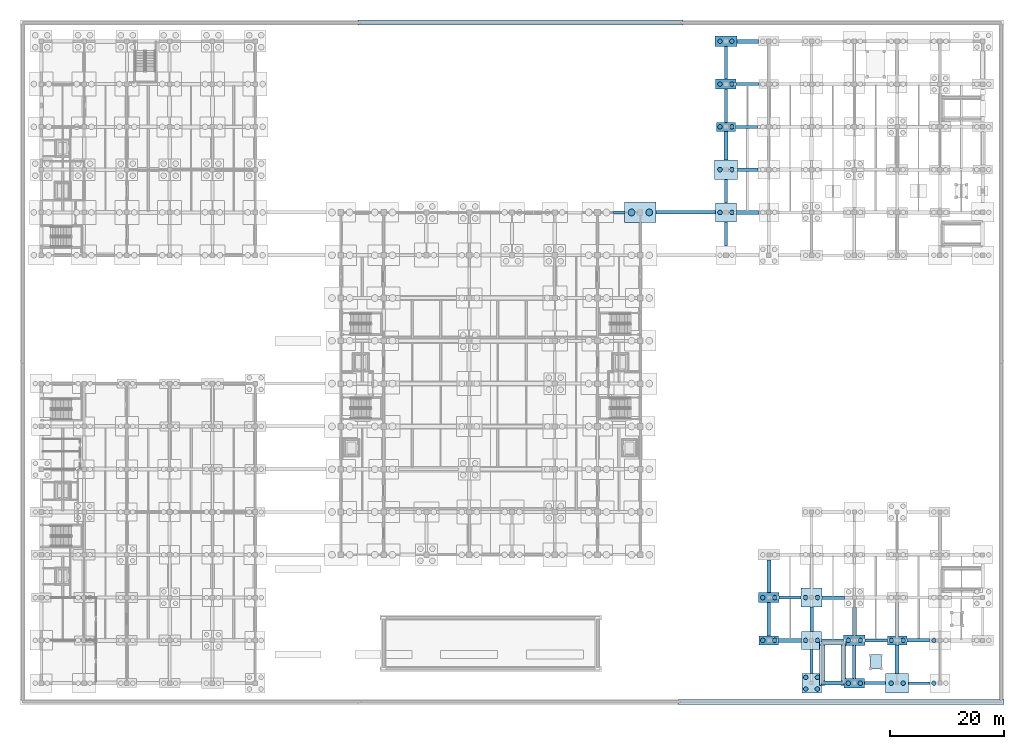
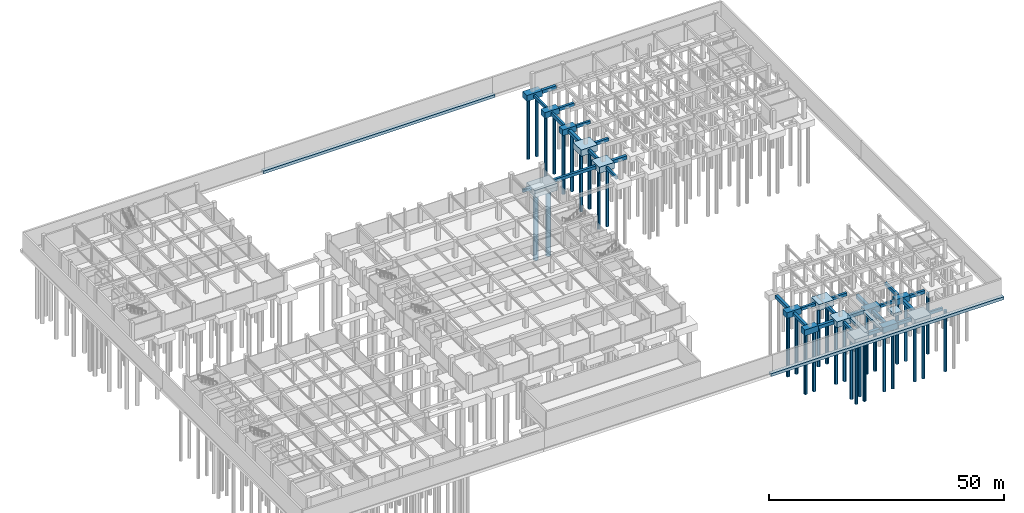
# One storey, part 9 of 38: 50 footings, 34 piles.
"""IFC4 building model written with IfcOpenShell, lengths in metres."""

from ifc_helpers import new_model, si_unit, direction, frame, origin, origin_2d, place, context, subcontext, project, spatial, polyline, rectangle, circle, outline, extrude, material, material_profile, profile_set, type_object, element, save


model = new_model("IFC4")

# Units and contexts
model_context = context("Model", 3, precision=1e-05, world=origin(), true_north=direction((0.0, 1.0)))
body_context = subcontext(model_context, "Body", "Model", "MODEL_VIEW")
ifc_project = project(units=[si_unit("LENGTHUNIT", "METRE"), si_unit("AREAUNIT", "SQUARE_METRE"), si_unit("VOLUMEUNIT", "CUBIC_METRE"), si_unit("PLANEANGLEUNIT", "RADIAN"), si_unit("MASSUNIT", "GRAM", prefix="KILO")], contexts=[model_context])

# Site, building, storey
site_placement = place(None, origin())
site = spatial("IfcSite", under=ifc_project, at=site_placement, CompositionType="ELEMENT")
building_placement = place(site_placement, origin())
building = spatial("IfcBuilding", under=site, at=building_placement, Name="Qasida Concert Hall", CompositionType="ELEMENT")
storey_placement = place(building_placement, frame((0.0, 0.0, -4.800048828125)))
storey = spatial("IfcBuildingStorey", under=building, at=storey_placement, Name="B1", CompositionType="ELEMENT", Elevation=-4.800048828125)

# Footings
ifc_material = material(Name="Concrete C40/50", Category="concrete")
footing_type_1 = type_object("IfcFootingType", Name="FT-GB-1", PredefinedType="FOOTING_BEAM", material=ifc_material)
footing_1_placement = place(storey_placement, frame((0.0, 0.0, -1.169921875)))
element("IfcFooting", 1, at=footing_1_placement, inside=storey, type_object=footing_type_1, Name="Ground tie beam GB-1 008", PredefinedType="FOOTING_BEAM", context=body_context, shape_type="SweptSolid", body=[
    extrude(outline(polyline([(152.0, -0.25), (155.75, -0.25), (155.75, 0.25), (152.0, 0.25), (152.0, -0.25)])), origin(), (0.0, 0.0, 1.0), 0.75),
])
footing_2_placement = place(storey_placement, frame((0.0, 0.0, -1.169921875)))
element("IfcFooting", 2, at=footing_2_placement, inside=storey, type_object=footing_type_1, Name="Ground tie beam GB-1 016", PredefinedType="FOOTING_BEAM", context=body_context, shape_type="SweptSolid", body=[
    extrude(outline(polyline([(144.39990234375, 7.25), (148.300048828125, 7.25), (148.300048828125, 7.75), (144.39990234375, 7.75), (144.39990234375, 7.25)])), origin(), (0.0, 0.0, 1.0), 0.75),
])
footing_3_placement = place(storey_placement, frame((0.0, 0.0, -1.169921875)))
element("IfcFooting", 3, at=footing_3_placement, inside=storey, type_object=footing_type_1, Name="Ground tie beam GB-1 024", PredefinedType="FOOTING_BEAM", context=body_context, shape_type="SweptSolid", body=[
    extrude(outline(polyline([(129.300048828125, 14.75), (133.14990234375, 14.75), (133.14990234375, 15.25), (129.300048828125, 15.25), (129.300048828125, 14.75)])), origin(), (0.0, 0.0, 1.0), 0.75),
])
footing_4_placement = place(storey_placement, frame((0.0, 0.0, -1.169921875)))
element("IfcFooting", 4, at=footing_4_placement, inside=storey, type_object=footing_type_1, Name="Ground tie beam GB-1 132", PredefinedType="FOOTING_BEAM", context=body_context, shape_type="SweptSolid", body=[
    extrude(outline(polyline([(100.25, 82.25), (102.25, 82.25), (102.25, 82.75), (100.25, 82.75), (100.25, 82.25)])), origin(), (0.0, 0.0, 1.0), 0.75),
])
footing_5_placement = place(storey_placement, frame((0.0, 0.0, -1.169921875)))
element("IfcFooting", 5, at=footing_5_placement, inside=storey, type_object=footing_type_1, Name="Ground tie beam GB-1 156", PredefinedType="FOOTING_BEAM", context=body_context, shape_type="SweptSolid", body=[
    extrude(outline(polyline([(121.699951171875, 97.25), (125.5, 97.25), (125.5, 97.75), (121.699951171875, 97.75), (121.699951171875, 97.25)])), origin(), (0.0, 0.0, 1.0), 0.75),
])
footing_6_placement = place(storey_placement, frame((0.0, 0.0, -1.169921875)))
element("IfcFooting", 6, at=footing_6_placement, inside=storey, type_object=footing_type_1, Name="Ground tie beam GB-1 308", PredefinedType="FOOTING_BEAM", context=body_context, shape_type="SweptSolid", body=[
    extrude(outline(polyline([(119.75, 76.60009765625), (120.25, 76.60009765625), (120.25, 80.85009765625), (119.75, 80.85009765625), (119.75, 76.60009765625)])), origin(), (0.0, 0.0, 1.0), 0.75),
])
footing_7_placement = place(storey_placement, frame((0.0, 0.0, -1.169921875)))
element("IfcFooting", 7, at=footing_7_placement, inside=storey, type_object=footing_type_1, Name="Ground tie beam GB-1 312", PredefinedType="FOOTING_BEAM", context=body_context, shape_type="SweptSolid", body=[
    extrude(outline(polyline([(119.75, 105.85009765625), (120.25, 105.85009765625), (120.25, 111.60009765625), (119.75, 111.60009765625), (119.75, 105.85009765625)])), origin(), (0.0, 0.0, 1.0), 0.75),
])
footing_8_placement = place(storey_placement, frame((0.0, 0.0, -1.169921875)))
element("IfcFooting", 8, at=footing_8_placement, inside=storey, type_object=footing_type_1, Name="Ground tie beam GB-1 320", PredefinedType="FOOTING_BEAM", context=body_context, shape_type="SweptSolid", body=[
    extrude(outline(polyline([(134.75, 1.699951171875), (135.25, 1.699951171875), (135.25, 5.89990234375), (134.75, 5.89990234375), (134.75, 1.699951171875)])), origin(), (0.0, 0.0, 1.0), 0.75),
])
footing_type_2 = type_object("IfcFootingType", Name="FT-GB-2", PredefinedType="FOOTING_BEAM", material=ifc_material)
footing_9_placement = place(storey_placement, frame((0.0, 0.0, -1.219970703125)))
element("IfcFooting", 9, at=footing_9_placement, inside=storey, type_object=footing_type_2, Name="Ground tie beam GB-2 017", PredefinedType="FOOTING_BEAM", context=body_context, shape_type="SweptSolid", body=[
    extrude(outline(polyline([(151.699951171875, 7.199951171875), (155.64990234375, 7.199951171875), (155.64990234375, 7.800048828125), (151.699951171875, 7.800048828125), (151.699951171875, 7.199951171875)])), origin(), (0.0, 0.0, 1.0), 0.800048828125),
])
footing_10_placement = place(storey_placement, frame((0.0, 0.0, -1.219970703125)))
element("IfcFooting", 10, at=footing_10_placement, inside=storey, type_object=footing_type_2, Name="Ground tie beam GB-2 025", PredefinedType="FOOTING_BEAM", context=body_context, shape_type="SweptSolid", body=[
    extrude(outline(polyline([(136.85009765625, 14.699951171875), (140.800048828125, 14.699951171875), (140.800048828125, 15.300048828125), (136.85009765625, 15.300048828125), (136.85009765625, 14.699951171875)])), origin(), (0.0, 0.0, 1.0), 0.800048828125),
])
footing_11_placement = place(storey_placement, frame((0.0, 0.0, -1.219970703125)))
element("IfcFooting", 11, at=footing_11_placement, inside=storey, type_object=footing_type_2, Name="Ground tie beam GB-2 133", PredefinedType="FOOTING_BEAM", context=body_context, shape_type="SweptSolid", body=[
    extrude(outline(polyline([(107.75, 82.199951171875), (118.14990234375, 82.199951171875), (118.14990234375, 82.800048828125), (107.75, 82.800048828125), (107.75, 82.199951171875)])), origin(), (0.0, 0.0, 1.0), 0.800048828125),
])
footing_12_placement = place(storey_placement, frame((0.0, 0.0, -1.219970703125)))
element("IfcFooting", 12, at=footing_12_placement, inside=storey, type_object=footing_type_2, Name="Ground tie beam GB-2 145", PredefinedType="FOOTING_BEAM", context=body_context, shape_type="SweptSolid", body=[
    extrude(outline(polyline([(122.0, 89.699951171875), (125.64990234375, 89.699951171875), (125.64990234375, 90.300048828125), (122.0, 90.300048828125), (122.0, 89.699951171875)])), origin(), (0.0, 0.0, 1.0), 0.800048828125),
])
footing_13_placement = place(storey_placement, frame((0.0, 0.0, -1.219970703125)))
element("IfcFooting", 13, at=footing_13_placement, inside=storey, type_object=footing_type_2, Name="Ground tie beam GB-2 309", PredefinedType="FOOTING_BEAM", context=body_context, shape_type="SweptSolid", body=[
    extrude(outline(polyline([(119.699951171875, 84.14990234375), (120.300048828125, 84.14990234375), (120.300048828125, 88.300048828125), (119.699951171875, 88.300048828125), (119.699951171875, 84.14990234375)])), origin(), (0.0, 0.0, 1.0), 0.800048828125),
])
footing_14_placement = place(storey_placement, frame((0.0, 0.0, -1.219970703125)))
element("IfcFooting", 14, at=footing_14_placement, inside=storey, type_object=footing_type_2, Name="Ground tie beam GB-2 313", PredefinedType="FOOTING_BEAM", context=body_context, shape_type="SweptSolid", body=[
    extrude(outline(polyline([(127.199951171875, 8.300048828125), (127.800048828125, 8.300048828125), (127.800048828125, 14.14990234375), (127.199951171875, 14.14990234375), (127.199951171875, 8.300048828125)])), origin(), (0.0, 0.0, 1.0), 0.800048828125),
])
footing_15_placement = place(storey_placement, frame((0.0, 0.0, -1.219970703125)))
element("IfcFooting", 15, at=footing_15_placement, inside=storey, type_object=footing_type_2, Name="Ground tie beam GB-2 321", PredefinedType="FOOTING_BEAM", context=body_context, shape_type="SweptSolid", body=[
    extrude(outline(polyline([(134.699951171875, 9.10009765625), (135.300048828125, 9.10009765625), (135.300048828125, 13.35009765625), (134.699951171875, 13.35009765625), (134.699951171875, 9.10009765625)])), origin(), (0.0, 0.0, 1.0), 0.800048828125),
])
footing_16_placement = place(storey_placement, frame((0.0, 0.0, -1.219970703125)))
element("IfcFooting", 16, at=footing_16_placement, inside=storey, type_object=footing_type_2, Name="Ground tie beam GB-2 329", PredefinedType="FOOTING_BEAM", context=body_context, shape_type="SweptSolid", body=[
    extrude(outline(polyline([(142.199951171875, 0.85009765625), (142.800048828125, 0.85009765625), (142.800048828125, 6.60009765625), (142.199951171875, 6.60009765625), (142.199951171875, 0.85009765625)])), origin(), (0.0, 0.0, 1.0), 0.800048828125),
])
footing_type_3 = type_object("IfcFootingType", Name="FT-GB-3", PredefinedType="FOOTING_BEAM", material=ifc_material)
footing_17_placement = place(storey_placement, frame((0.0, 0.0, -1.320068359375)))
element("IfcFooting", 17, at=footing_17_placement, inside=storey, type_object=footing_type_3, Name="Ground tie beam GB-3 006", PredefinedType="FOOTING_BEAM", context=body_context, shape_type="SweptSolid", body=[
    extrude(outline(polyline([(136.699951171875, -0.35009765625), (140.699951171875, -0.35009765625), (140.699951171875, 0.35009765625), (136.699951171875, 0.35009765625), (136.699951171875, -0.35009765625)])), origin(), (0.0, 0.0, 1.0), 0.900146484375),
])
footing_18_placement = place(storey_placement, frame((0.0, 0.0, -1.320068359375)))
element("IfcFooting", 18, at=footing_18_placement, inside=storey, type_object=footing_type_3, Name="Ground tie beam GB-3 014", PredefinedType="FOOTING_BEAM", context=body_context, shape_type="SweptSolid", body=[
    extrude(outline(polyline([(129.199951171875, 7.14990234375), (133.25, 7.14990234375), (133.25, 7.85009765625), (129.199951171875, 7.85009765625), (129.199951171875, 7.14990234375)])), origin(), (0.0, 0.0, 1.0), 0.900146484375),
])
footing_19_placement = place(storey_placement, frame((0.0, 0.0, -1.320068359375)))
element("IfcFooting", 19, at=footing_19_placement, inside=storey, type_object=footing_type_3, Name="Ground tie beam GB-3 134", PredefinedType="FOOTING_BEAM", context=body_context, shape_type="SweptSolid", body=[
    extrude(outline(polyline([(121.85009765625, 82.14990234375), (125.75, 82.14990234375), (125.75, 82.85009765625), (121.85009765625, 82.85009765625), (121.85009765625, 82.14990234375)])), origin(), (0.0, 0.0, 1.0), 0.900146484375),
])
footing_20_placement = place(storey_placement, frame((0.0, 0.0, -1.320068359375)))
element("IfcFooting", 20, at=footing_20_placement, inside=storey, type_object=footing_type_3, Name="Ground tie beam GB-3 178", PredefinedType="FOOTING_BEAM", context=body_context, shape_type="SweptSolid", body=[
    extrude(outline(polyline([(121.89990234375, 112.14990234375), (125.699951171875, 112.14990234375), (125.699951171875, 112.85009765625), (121.89990234375, 112.85009765625), (121.89990234375, 112.14990234375)])), origin(), (0.0, 0.0, 1.0), 0.900146484375),
])
footing_21_placement = place(storey_placement, frame((0.0, 0.0, -1.320068359375)))
element("IfcFooting", 21, at=footing_21_placement, inside=storey, type_object=footing_type_3, Name="Ground tie beam GB-3 310", PredefinedType="FOOTING_BEAM", context=body_context, shape_type="SweptSolid", body=[
    extrude(outline(polyline([(119.64990234375, 91.699951171875), (120.35009765625, 91.699951171875), (120.35009765625, 96.699951171875), (119.64990234375, 96.699951171875), (119.64990234375, 91.699951171875)])), origin(), (0.0, 0.0, 1.0), 0.900146484375),
])
footing_22_placement = place(storey_placement, frame((0.0, 0.0, -1.320068359375)))
element("IfcFooting", 22, at=footing_22_placement, inside=storey, type_object=footing_type_3, Name="Ground tie beam GB-3 314", PredefinedType="FOOTING_BEAM", context=body_context, shape_type="SweptSolid", body=[
    extrude(outline(polyline([(127.14990234375, 15.85009765625), (127.85009765625, 15.85009765625), (127.85009765625, 21.60009765625), (127.14990234375, 21.60009765625), (127.14990234375, 15.85009765625)])), origin(), (0.0, 0.0, 1.0), 0.900146484375),
])
footing_23_placement = place(storey_placement, frame((0.0, 0.0, -1.320068359375)))
element("IfcFooting", 23, at=footing_23_placement, inside=storey, type_object=footing_type_3, Name="Ground tie beam GB-3 330", PredefinedType="FOOTING_BEAM", context=body_context, shape_type="SweptSolid", body=[
    extrude(outline(polyline([(142.14990234375, 8.39990234375), (142.85009765625, 8.39990234375), (142.85009765625, 13.300048828125), (142.14990234375, 13.300048828125), (142.14990234375, 8.39990234375)])), origin(), (0.0, 0.0, 1.0), 0.900146484375),
])
footing_24_placement = place(storey_placement, frame((0.0, 0.0, -1.320068359375)))
element("IfcFooting", 24, at=footing_24_placement, inside=storey, type_object=footing_type_3, Name="Ground tie beam GB-3 338", PredefinedType="FOOTING_BEAM", context=body_context, shape_type="SweptSolid", body=[
    extrude(outline(polyline([(149.64990234375, 1.699951171875), (150.35009765625, 1.699951171875), (150.35009765625, 6.699951171875), (149.64990234375, 6.699951171875), (149.64990234375, 1.699951171875)])), origin(), (0.0, 0.0, 1.0), 0.900146484375),
])
footing_type_4 = type_object("IfcFootingType", Name="FT-GB-4", PredefinedType="FOOTING_BEAM", material=ifc_material)
footing_25_placement = place(storey_placement, frame((0.0, 0.0, -1.27001953125)))
element("IfcFooting", 25, at=footing_25_placement, inside=storey, type_object=footing_type_4, Name="Ground tie beam GB-4 007", PredefinedType="FOOTING_BEAM", context=body_context, shape_type="SweptSolid", body=[
    extrude(outline(polyline([(144.300048828125, -0.27490234375), (148.0, -0.27490234375), (148.0, 0.27490234375), (144.300048828125, 0.27490234375), (144.300048828125, -0.27490234375)])), origin(), (0.0, 0.0, 1.0), 0.85009765625),
])
footing_26_placement = place(storey_placement, frame((0.0, 0.0, -1.27001953125)))
element("IfcFooting", 26, at=footing_26_placement, inside=storey, type_object=footing_type_4, Name="Ground tie beam GB-4 015", PredefinedType="FOOTING_BEAM", context=body_context, shape_type="SweptSolid", body=[
    extrude(outline(polyline([(136.75, 7.22509765625), (140.60009765625, 7.22509765625), (140.60009765625, 7.77490234375), (136.75, 7.77490234375), (136.75, 7.22509765625)])), origin(), (0.0, 0.0, 1.0), 0.85009765625),
])
footing_27_placement = place(storey_placement, frame((0.0, 0.0, -1.27001953125)))
element("IfcFooting", 27, at=footing_27_placement, inside=storey, type_object=footing_type_4, Name="Ground tie beam GB-4 167", PredefinedType="FOOTING_BEAM", context=body_context, shape_type="SweptSolid", body=[
    extrude(outline(polyline([(121.800048828125, 104.72509765625), (125.800048828125, 104.72509765625), (125.800048828125, 105.27490234375), (121.800048828125, 105.27490234375), (121.800048828125, 104.72509765625)])), origin(), (0.0, 0.0, 1.0), 0.85009765625),
])
footing_28_placement = place(storey_placement, frame((0.0, 0.0, -1.27001953125)))
element("IfcFooting", 28, at=footing_28_placement, inside=storey, type_object=footing_type_4, Name="Ground tie beam GB-4 311", PredefinedType="FOOTING_BEAM", context=body_context, shape_type="SweptSolid", body=[
    extrude(outline(polyline([(119.72509765625, 98.300048828125), (120.27490234375, 98.300048828125), (120.27490234375, 104.14990234375), (119.72509765625, 104.14990234375), (119.72509765625, 98.300048828125)])), origin(), (0.0, 0.0, 1.0), 0.85009765625),
])
footing_29_placement = place(storey_placement, frame((0.0, 0.0, -1.27001953125)))
element("IfcFooting", 29, at=footing_29_placement, inside=storey, type_object=footing_type_4, Name="Ground tie beam GB-4 339", PredefinedType="FOOTING_BEAM", context=body_context, shape_type="SweptSolid", body=[
    extrude(outline(polyline([(149.72509765625, 8.300048828125), (150.27490234375, 8.300048828125), (150.27490234375, 14.14990234375), (149.72509765625, 14.14990234375), (149.72509765625, 8.300048828125)])), origin(), (0.0, 0.0, 1.0), 0.85009765625),
])
footing_type_5 = type_object("IfcFootingType", Name="FT-PC-2C", PredefinedType="PILE_CAP", material=ifc_material)
for number, where, z_axis, x_axis, name in (
    (30, (127.5, 7.5, -1.5), (0.0, 0.0, 1.0), (1.0, 0.0, 0.0), "Pile cap PC-2C 063"),
    (31, (150.0, 7.5, -1.5), (0.0, 0.0, 1.0), (1.0, 0.0, 0.0), "Pile cap PC-2C 077"),
    (32, (120.0, 97.5, -1.5), (0.0, 0.0, 1.0), (1.0, 0.0, 0.0), "Pile cap PC-2C 140"),
):
    element("IfcFooting", number, at=place(storey_placement, frame(where, z_axis=z_axis, x_axis=x_axis)), inside=storey, type_object=footing_type_5, Name=name, PredefinedType="PILE_CAP", context=body_context, shape_type="SweptSolid", body=[
        extrude(rectangle(XDim=3.39990234375, YDim=1.60009765625, at=origin_2d()), origin(), (0.0, 0.0, 1.0), 1.5),
    ])
footing_type_6 = type_object("IfcFootingType", Name="FT-PC-2D", PredefinedType="PILE_CAP", material=ifc_material)
for number, where, z_axis, x_axis, name in (
    (33, (127.5, 15.0, -1.5), (0.0, 0.0, 1.0), (1.0, 0.0, 0.0), "Pile cap PC-2D 064"),
    (34, (142.5, 0.0, -1.5), (0.0, 0.0, 1.0), (1.0, 0.0, 0.0), "Pile cap PC-2D 071"),
    (35, (120.0, 105.0, -1.5), (0.0, 0.0, 1.0), (1.0, 0.0, 0.0), "Pile cap PC-2D 141"),
):
    element("IfcFooting", number, at=place(storey_placement, frame(where, z_axis=z_axis, x_axis=x_axis)), inside=storey, type_object=footing_type_6, Name=name, PredefinedType="PILE_CAP", context=body_context, shape_type="SweptSolid", body=[
        extrude(rectangle(XDim=3.60009765625, YDim=1.699951171875, at=origin_2d()), origin(), (0.0, 0.0, 1.0), 1.5),
    ])
footing_type_7 = type_object("IfcFootingType", Name="FT-PC-2E", PredefinedType="PILE_CAP", material=ifc_material)
for number, where, z_axis, x_axis, name in (
    (36, (142.5, 7.5, -1.5498046875), (0.0, 0.0, 1.0), (1.0, 0.0, 0.0), "Pile cap PC-2E 072"),
    (37, (120.0, 112.5, -1.5498046875), (0.0, 0.0, 1.0), (1.0, 0.0, 0.0), "Pile cap PC-2E 142"),
):
    element("IfcFooting", number, at=place(storey_placement, frame(where, z_axis=z_axis, x_axis=x_axis)), inside=storey, type_object=footing_type_7, Name=name, PredefinedType="PILE_CAP", context=body_context, shape_type="SweptSolid", body=[
        extrude(rectangle(XDim=3.800048828125, YDim=1.800048828125, at=origin_2d()), origin(), (0.0, 0.0, 1.0), 1.550048828125),
    ])
footing_type_8 = type_object("IfcFootingType", Name="FT-PC-3B", PredefinedType="PILE_CAP", material=ifc_material)
footing_30_placement = place(storey_placement, frame((135.0, 7.5, -1.5498046875), z_axis=(0.0, 0.0, 1.0), x_axis=(1.0, 0.0, 0.0)))
element("IfcFooting", 38, at=footing_30_placement, inside=storey, type_object=footing_type_8, Name="Pile cap PC-3B 067", PredefinedType="PILE_CAP", context=body_context, shape_type="SweptSolid", body=[
    extrude(rectangle(XDim=3.5, YDim=3.199951171875, at=origin_2d()), origin(), (0.0, 0.0, 1.0), 1.550048828125),
])
footing_type_9 = type_object("IfcFootingType", Name="FT-PC-3C", PredefinedType="PILE_CAP", material=ifc_material)
for number, where, z_axis, x_axis, name in (
    (39, (135.0, 15.0, -1.60009765625), (0.0, 0.0, 1.0), (1.0, 0.0, 0.0), "Pile cap PC-3C 068"),
    (40, (120.0, 82.5, -1.60009765625), (0.0, 0.0, 1.0), (1.0, 0.0, 0.0), "Pile cap PC-3C 138"),
):
    element("IfcFooting", number, at=place(storey_placement, frame(where, z_axis=z_axis, x_axis=x_axis)), inside=storey, type_object=footing_type_9, Name=name, PredefinedType="PILE_CAP", context=body_context, shape_type="SweptSolid", body=[
        extrude(rectangle(XDim=3.699951171875, YDim=3.300048828125, at=origin_2d()), origin(), (0.0, 0.0, 1.0), 1.60009765625),
    ])
footing_type_10 = type_object("IfcFootingType", Name="FT-PC-4B", PredefinedType="PILE_CAP", material=ifc_material)
footing_31_placement = place(storey_placement, frame((135.0, 0.0, -1.60009765625), z_axis=(0.0, 0.0, 1.0), x_axis=(1.0, 0.0, 0.0)))
element("IfcFooting", 41, at=footing_31_placement, inside=storey, type_object=footing_type_10, Name="Pile cap PC-4B 066", PredefinedType="PILE_CAP", context=body_context, shape_type="SweptSolid", body=[
    extrude(rectangle(XDim=3.39990234375, YDim=3.39990234375, at=origin_2d()), origin(), (0.0, 0.0, 1.0), 1.60009765625),
])
footing_type_11 = type_object("IfcFootingType", Name="FT-PC-4E", PredefinedType="PILE_CAP", material=ifc_material)
for number, where, z_axis, x_axis, name in (
    (42, (150.0, 0.0, -1.64990234375), (0.0, 0.0, 1.0), (1.0, 0.0, 0.0), "Pile cap PC-4E 076"),
    (43, (120.0, 90.0, -1.64990234375), (0.0, 0.0, 1.0), (1.0, 0.0, 0.0), "Pile cap PC-4E 139"),
):
    element("IfcFooting", number, at=place(storey_placement, frame(where, z_axis=z_axis, x_axis=x_axis)), inside=storey, type_object=footing_type_11, Name=name, PredefinedType="PILE_CAP", context=body_context, shape_type="SweptSolid", body=[
        extrude(rectangle(XDim=4.0, YDim=3.39990234375, at=origin_2d()), origin(), (0.0, 0.0, 1.0), 1.64990234375),
    ])
footing_type_12 = type_object("IfcFootingType", Name="FT-PC-6C", PredefinedType="PILE_CAP", material=ifc_material)
footing_32_placement = place(storey_placement, frame((105.0, 82.5, -2.22021484375), z_axis=(0.0, 0.0, 1.0), x_axis=(1.0, 0.0, 0.0)))
element("IfcFooting", 44, at=footing_32_placement, inside=storey, type_object=footing_type_12, Name="Pile cap PC-6C 062", PredefinedType="PILE_CAP", context=body_context, shape_type="SweptSolid", body=[
    extrude(rectangle(XDim=5.5, YDim=3.60009765625, at=origin_2d()), origin(), (0.0, 0.0, 1.0), 1.800048828125),
])
footing_type_13 = type_object("IfcFootingType", Name="FT-PF-6A", PredefinedType="PAD_FOOTING", material=ifc_material)
footing_33_placement = place(storey_placement, frame((0.0, 0.0, -0.75)))
element("IfcFooting", 45, at=footing_33_placement, inside=storey, type_object=footing_type_13, Name="Lift pit foundation LF-11", PredefinedType="PAD_FOOTING", context=body_context, shape_type="SweptSolid", body=[
    extrude(outline(polyline([(145.199951171875, 2.5), (147.300048828125, 2.5), (147.300048828125, 5.0), (145.199951171875, 5.0), (145.199951171875, 2.5)])), origin(), (0.0, 0.0, 1.0), 0.75),
])
footing_type_14 = type_object("IfcFootingType", Name="FT-SF-2A", PredefinedType="STRIP_FOOTING", material=ifc_material)
footing_34_placement = place(storey_placement, frame((0.0, 0.0, -0.75)))
element("IfcFooting", 46, at=footing_34_placement, inside=storey, type_object=footing_type_14, Name="B1 ST09 core strip footing W", PredefinedType="STRIP_FOOTING", context=body_context, shape_type="SweptSolid", body=[
    extrude(outline(polyline([(136.425048828125, -0.449951171875), (137.324951171875, -0.449951171875), (137.324951171875, 7.469970703125), (136.425048828125, 7.469970703125), (136.425048828125, -0.449951171875)])), origin(), (0.0, 0.0, 1.0), 0.75),
])
footing_35_placement = place(storey_placement, frame((0.0, 0.0, -0.75)))
element("IfcFooting", 47, at=footing_35_placement, inside=storey, type_object=footing_type_14, Name="B1 ST09 core strip footing E", PredefinedType="STRIP_FOOTING", context=body_context, shape_type="SweptSolid", body=[
    extrude(outline(polyline([(140.175048828125, -0.449951171875), (141.074951171875, -0.449951171875), (141.074951171875, 7.469970703125), (140.175048828125, 7.469970703125), (140.175048828125, -0.449951171875)])), origin(), (0.0, 0.0, 1.0), 0.75),
])
footing_36_placement = place(storey_placement, frame((0.0, 0.0, -0.75)))
element("IfcFooting", 48, at=footing_36_placement, inside=storey, type_object=footing_type_14, Name="B1 ST09 core strip footing N", PredefinedType="STRIP_FOOTING", context=body_context, shape_type="SweptSolid", body=[
    extrude(outline(polyline([(136.429931640625, 6.695068359375), (141.070068359375, 6.695068359375), (141.070068359375, 7.594970703125), (136.429931640625, 7.594970703125), (136.429931640625, 6.695068359375)])), origin(), (0.0, 0.0, 1.0), 0.75),
])
footing_37_placement = place(storey_placement, frame((0.0, 0.0, -0.75)))
element("IfcFooting", 49, at=footing_37_placement, inside=storey, type_object=footing_type_14, Name="B1 plaza plinth strip footing PLW-S3", PredefinedType="STRIP_FOOTING", context=body_context, shape_type="SweptSolid", body=[
    extrude(outline(polyline([(111.550048828125, -3.72509765625), (168.72509765625, -3.72509765625), (168.72509765625, -2.824951171875), (111.550048828125, -2.824951171875), (111.550048828125, -3.72509765625)])), origin(), (0.0, 0.0, 1.0), 0.75),
])
footing_38_placement = place(storey_placement, frame((0.0, 0.0, -0.75)))
element("IfcFooting", 50, at=footing_38_placement, inside=storey, type_object=footing_type_14, Name="B1 plaza plinth strip footing PLW-N2", PredefinedType="STRIP_FOOTING", context=body_context, shape_type="SweptSolid", body=[
    extrude(outline(polyline([(55.550048828125, 115.324951171875), (112.449951171875, 115.324951171875), (112.449951171875, 116.22509765625), (55.550048828125, 116.22509765625), (55.550048828125, 115.324951171875)])), origin(), (0.0, 0.0, 1.0), 0.75),
])

# Piles
ifc_material_profile_1 = material_profile(ifc_material, circle(Radius=0.60009765625, at=origin_2d()), Name="BORED PILE D1200")
ifc_profile_set_1 = profile_set([ifc_material_profile_1], Name="Concrete C40/50")
pile_type_1 = type_object("IfcPileType", Name="PL-BORED-1200", PredefinedType="BORED", material=ifc_profile_set_1)
for number, where, z_axis, x_axis, name in (
    (51, (103.449951171875, 82.5, -2.119873046875), (0.0, 0.0, -1.0), (1.0, 0.0, 0.0), "Bored pile 0141"),
    (52, (106.550048828125, 82.5, -2.119873046875), (0.0, 0.0, -1.0), (1.0, 0.0, 0.0), "Bored pile 0142"),
):
    element("IfcPile", number, at=place(storey_placement, frame(where, z_axis=z_axis, x_axis=x_axis)), inside=storey, type_object=pile_type_1, Name=name, PredefinedType="BORED", context=body_context, shape_type="SweptSolid", body=[
        extrude(circle(Radius=0.60009765625, at=origin_2d()), origin(), (0.0, 0.0, 1.0), 17.580078125),
    ])
ifc_material_profile_2 = material_profile(ifc_material, circle(Radius=0.39990234375, at=origin_2d()), Name="BORED PILE D800")
ifc_profile_set_2 = profile_set([ifc_material_profile_2], Name="Concrete C40/50")
pile_type_2 = type_object("IfcPileType", Name="PL-BORED-800", PredefinedType="BORED", material=ifc_profile_set_2)
for number, where, z_axis, x_axis, name in (
    (53, (126.449951171875, 7.5, -1.39990234375), (0.0, 0.0, -1.0), (1.0, 0.0, 0.0), "Bored pile 0143"),
    (54, (128.550048828125, 7.5, -1.39990234375), (0.0, 0.0, -1.0), (1.0, 0.0, 0.0), "Bored pile 0144"),
    (55, (126.449951171875, 15.0, -1.39990234375), (0.0, 0.0, -1.0), (1.0, 0.0, 0.0), "Bored pile 0145"),
    (56, (128.550048828125, 15.0, -1.39990234375), (0.0, 0.0, -1.0), (1.0, 0.0, 0.0), "Bored pile 0146"),
):
    element("IfcPile", number, at=place(storey_placement, frame(where, z_axis=z_axis, x_axis=x_axis)), inside=storey, type_object=pile_type_2, Name=name, PredefinedType="BORED", context=body_context, shape_type="SweptSolid", body=[
        extrude(circle(Radius=0.39990234375, at=origin_2d()), origin(), (0.0, 0.0, 1.0), 15.800048828125),
    ])
for number, where, z_axis, x_axis, name in (
    (57, (133.97998046875, -1.02001953125, -1.5), (0.0, 0.0, -1.0), (1.0, 0.0, 0.0), "Bored pile 0149"),
    (58, (136.02001953125, -1.02001953125, -1.5), (0.0, 0.0, -1.0), (1.0, 0.0, 0.0), "Bored pile 0150"),
    (59, (133.97998046875, 1.02001953125, -1.5), (0.0, 0.0, -1.0), (1.0, 0.0, 0.0), "Bored pile 0151"),
    (60, (136.02001953125, 1.02001953125, -1.5), (0.0, 0.0, -1.0), (1.0, 0.0, 0.0), "Bored pile 0152"),
):
    element("IfcPile", number, at=place(storey_placement, frame(where, z_axis=z_axis, x_axis=x_axis)), inside=storey, type_object=pile_type_2, Name=name, PredefinedType="BORED", context=body_context, shape_type="SweptSolid", body=[
        extrude(circle(Radius=0.39990234375, at=origin_2d()), origin(), (0.0, 0.0, 1.0), 15.699951171875),
    ])
for number, where, z_axis, x_axis, name in (
    (61, (133.949951171875, 7.5, -1.449951171875), (0.0, 0.0, -1.0), (1.0, 0.0, 0.0), "Bored pile 0153"),
    (62, (136.050048828125, 7.5, -1.449951171875), (0.0, 0.0, -1.0), (1.0, 0.0, 0.0), "Bored pile 0154"),
):
    element("IfcPile", number, at=place(storey_placement, frame(where, z_axis=z_axis, x_axis=x_axis)), inside=storey, type_object=pile_type_2, Name=name, PredefinedType="BORED", context=body_context, shape_type="SweptSolid", body=[
        extrude(circle(Radius=0.39990234375, at=origin_2d()), origin(), (0.0, 0.0, 1.0), 15.75),
    ])
for number, where, z_axis, x_axis, name in (
    (63, (133.949951171875, 15.0, -1.5), (0.0, 0.0, -1.0), (1.0, 0.0, 0.0), "Bored pile 0155"),
    (64, (136.050048828125, 15.0, -1.5), (0.0, 0.0, -1.0), (1.0, 0.0, 0.0), "Bored pile 0156"),
):
    element("IfcPile", number, at=place(storey_placement, frame(where, z_axis=z_axis, x_axis=x_axis)), inside=storey, type_object=pile_type_2, Name=name, PredefinedType="BORED", context=body_context, shape_type="SweptSolid", body=[
        extrude(circle(Radius=0.39990234375, at=origin_2d()), origin(), (0.0, 0.0, 1.0), 15.699951171875),
    ])
for number, where, z_axis, x_axis, name in (
    (65, (141.449951171875, 0.0, -1.39990234375), (0.0, 0.0, -1.0), (1.0, 0.0, 0.0), "Bored pile 0161"),
    (66, (143.550048828125, 0.0, -1.39990234375), (0.0, 0.0, -1.0), (1.0, 0.0, 0.0), "Bored pile 0162"),
):
    element("IfcPile", number, at=place(storey_placement, frame(where, z_axis=z_axis, x_axis=x_axis)), inside=storey, type_object=pile_type_2, Name=name, PredefinedType="BORED", context=body_context, shape_type="SweptSolid", body=[
        extrude(circle(Radius=0.39990234375, at=origin_2d()), origin(), (0.0, 0.0, 1.0), 15.800048828125),
    ])
for number, where, z_axis, x_axis, name in (
    (67, (141.449951171875, 7.5, -1.449951171875), (0.0, 0.0, -1.0), (1.0, 0.0, 0.0), "Bored pile 0163"),
    (68, (143.550048828125, 7.5, -1.449951171875), (0.0, 0.0, -1.0), (1.0, 0.0, 0.0), "Bored pile 0164"),
):
    element("IfcPile", number, at=place(storey_placement, frame(where, z_axis=z_axis, x_axis=x_axis)), inside=storey, type_object=pile_type_2, Name=name, PredefinedType="BORED", context=body_context, shape_type="SweptSolid", body=[
        extrude(circle(Radius=0.39990234375, at=origin_2d()), origin(), (0.0, 0.0, 1.0), 15.75),
    ])
for number, where, z_axis, x_axis, name in (
    (69, (148.949951171875, 0.0, -1.550048828125), (0.0, 0.0, -1.0), (1.0, 0.0, 0.0), "Bored pile 0173"),
    (70, (151.050048828125, 0.0, -1.550048828125), (0.0, 0.0, -1.0), (1.0, 0.0, 0.0), "Bored pile 0174"),
):
    element("IfcPile", number, at=place(storey_placement, frame(where, z_axis=z_axis, x_axis=x_axis)), inside=storey, type_object=pile_type_2, Name=name, PredefinedType="BORED", context=body_context, shape_type="SweptSolid", body=[
        extrude(circle(Radius=0.39990234375, at=origin_2d()), origin(), (0.0, 0.0, 1.0), 15.64990234375),
    ])
for number, where, z_axis, x_axis, name in (
    (71, (148.949951171875, 7.5, -1.39990234375), (0.0, 0.0, -1.0), (1.0, 0.0, 0.0), "Bored pile 0175"),
    (72, (151.050048828125, 7.5, -1.39990234375), (0.0, 0.0, -1.0), (1.0, 0.0, 0.0), "Bored pile 0176"),
):
    element("IfcPile", number, at=place(storey_placement, frame(where, z_axis=z_axis, x_axis=x_axis)), inside=storey, type_object=pile_type_2, Name=name, PredefinedType="BORED", context=body_context, shape_type="SweptSolid", body=[
        extrude(circle(Radius=0.39990234375, at=origin_2d()), origin(), (0.0, 0.0, 1.0), 15.800048828125),
    ])
pile_placement = place(storey_placement, frame((156.449951171875, 0.0, -1.449951171875), z_axis=(0.0, 0.0, -1.0), x_axis=(1.0, 0.0, 0.0)))
element("IfcPile", 73, at=pile_placement, inside=storey, type_object=pile_type_2, Name="Bored pile 0185", PredefinedType="BORED", context=body_context, shape_type="SweptSolid", body=[
    extrude(circle(Radius=0.39990234375, at=origin_2d()), origin(), (0.0, 0.0, 1.0), 15.75),
])
for number, where, z_axis, x_axis, name in (
    (74, (156.449951171875, 7.5, -1.5), (0.0, 0.0, -1.0), (1.0, 0.0, 0.0), "Bored pile 0187"),
    (75, (118.949951171875, 82.5, -1.5), (0.0, 0.0, -1.0), (1.0, 0.0, 0.0), "Bored pile 0315"),
    (76, (121.050048828125, 82.5, -1.5), (0.0, 0.0, -1.0), (1.0, 0.0, 0.0), "Bored pile 0316"),
):
    element("IfcPile", number, at=place(storey_placement, frame(where, z_axis=z_axis, x_axis=x_axis)), inside=storey, type_object=pile_type_2, Name=name, PredefinedType="BORED", context=body_context, shape_type="SweptSolid", body=[
        extrude(circle(Radius=0.39990234375, at=origin_2d()), origin(), (0.0, 0.0, 1.0), 15.699951171875),
    ])
for number, where, z_axis, x_axis, name in (
    (77, (118.949951171875, 90.0, -1.550048828125), (0.0, 0.0, -1.0), (1.0, 0.0, 0.0), "Bored pile 0317"),
    (78, (121.050048828125, 90.0, -1.550048828125), (0.0, 0.0, -1.0), (1.0, 0.0, 0.0), "Bored pile 0318"),
):
    element("IfcPile", number, at=place(storey_placement, frame(where, z_axis=z_axis, x_axis=x_axis)), inside=storey, type_object=pile_type_2, Name=name, PredefinedType="BORED", context=body_context, shape_type="SweptSolid", body=[
        extrude(circle(Radius=0.39990234375, at=origin_2d()), origin(), (0.0, 0.0, 1.0), 15.64990234375),
    ])
for number, where, z_axis, x_axis, name in (
    (79, (118.949951171875, 97.5, -1.39990234375), (0.0, 0.0, -1.0), (1.0, 0.0, 0.0), "Bored pile 0319"),
    (80, (121.050048828125, 97.5, -1.39990234375), (0.0, 0.0, -1.0), (1.0, 0.0, 0.0), "Bored pile 0320"),
    (81, (118.949951171875, 105.0, -1.39990234375), (0.0, 0.0, -1.0), (1.0, 0.0, 0.0), "Bored pile 0321"),
    (82, (121.050048828125, 105.0, -1.39990234375), (0.0, 0.0, -1.0), (1.0, 0.0, 0.0), "Bored pile 0322"),
):
    element("IfcPile", number, at=place(storey_placement, frame(where, z_axis=z_axis, x_axis=x_axis)), inside=storey, type_object=pile_type_2, Name=name, PredefinedType="BORED", context=body_context, shape_type="SweptSolid", body=[
        extrude(circle(Radius=0.39990234375, at=origin_2d()), origin(), (0.0, 0.0, 1.0), 15.800048828125),
    ])
for number, where, z_axis, x_axis, name in (
    (83, (118.949951171875, 112.5, -1.449951171875), (0.0, 0.0, -1.0), (1.0, 0.0, 0.0), "Bored pile 0323"),
    (84, (121.050048828125, 112.5, -1.449951171875), (0.0, 0.0, -1.0), (1.0, 0.0, 0.0), "Bored pile 0324"),
):
    element("IfcPile", number, at=place(storey_placement, frame(where, z_axis=z_axis, x_axis=x_axis)), inside=storey, type_object=pile_type_2, Name=name, PredefinedType="BORED", context=body_context, shape_type="SweptSolid", body=[
        extrude(circle(Radius=0.39990234375, at=origin_2d()), origin(), (0.0, 0.0, 1.0), 15.75),
    ])

save(model, "model.ifc")
